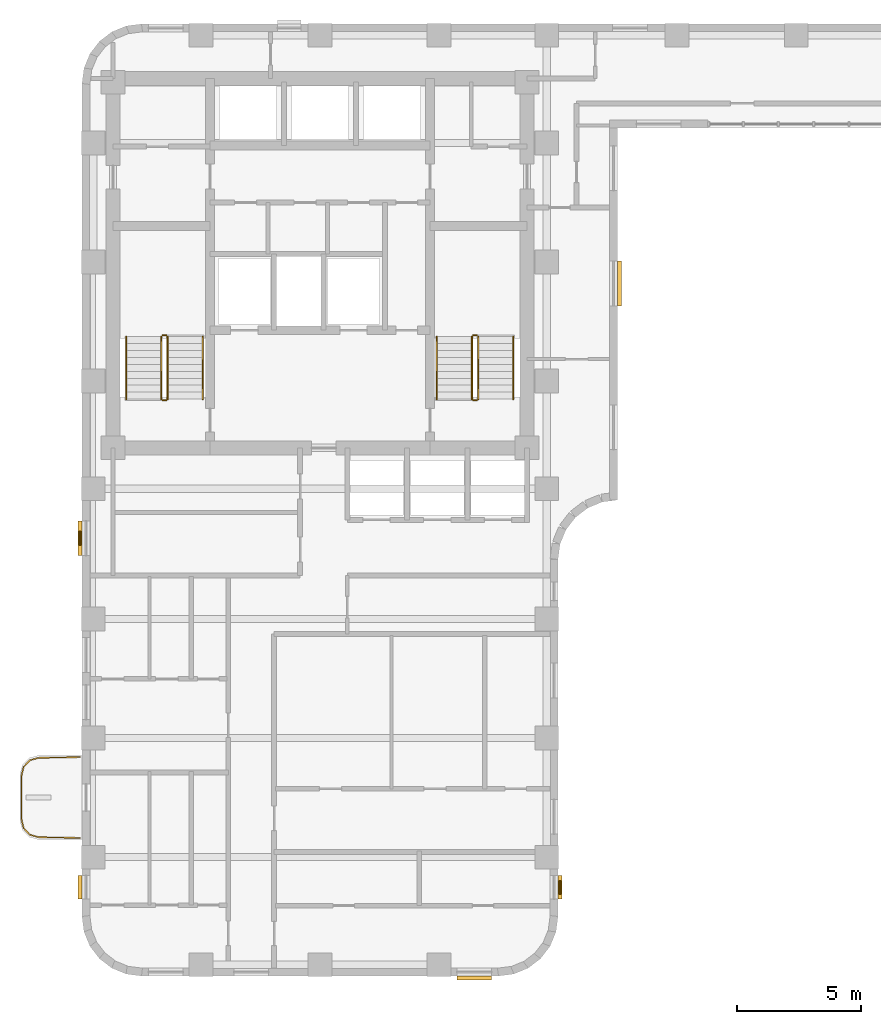
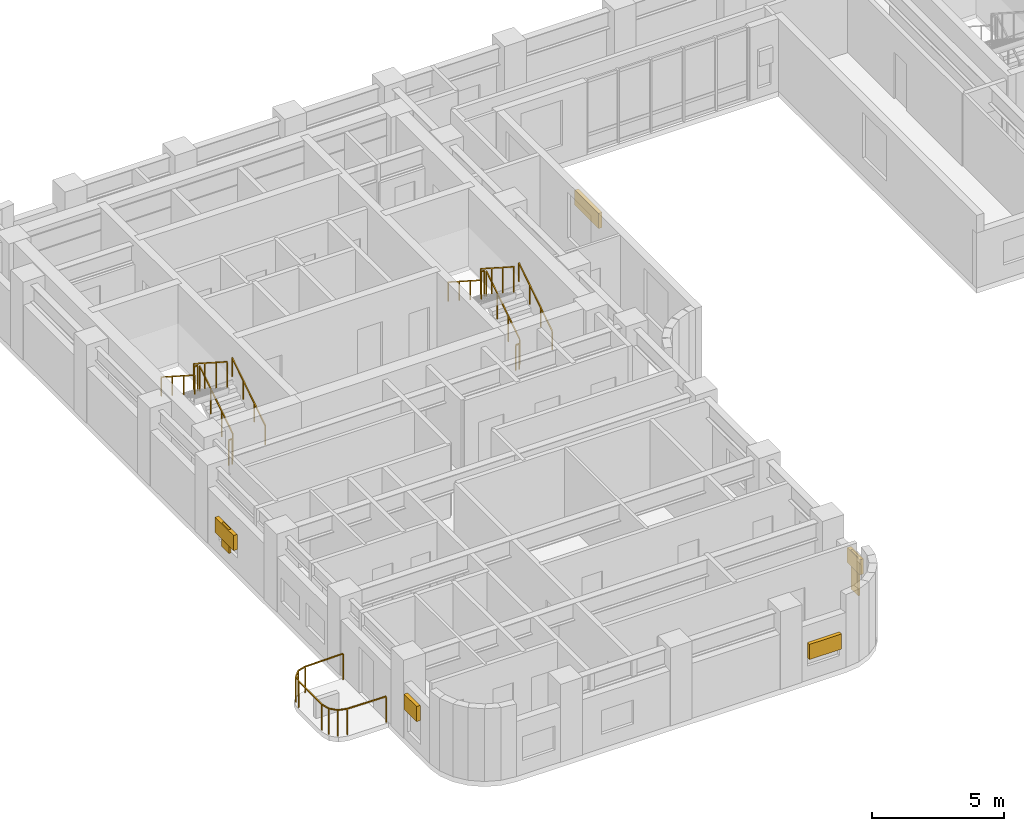
# One storey, part 9 of 11: 13 railings, 7 shading devices.
"""IFC4 building model written with IfcOpenShell, lengths in metres."""

from ifc_helpers import new_model, si_unit, direction, frame, origin, origin_2d, place, context, subcontext, project, spatial, rectangle, extrude, material, type_object, element, save


model = new_model("IFC4")

# Units and contexts
model_context = context("Model", 3, precision=1e-05, world=origin(), true_north=direction((0.0, 1.0)))
body_context = subcontext(model_context, "Body", "Model", "MODEL_VIEW")
ifc_project = project(units=[si_unit("LENGTHUNIT", "METRE"), si_unit("AREAUNIT", "SQUARE_METRE"), si_unit("VOLUMEUNIT", "CUBIC_METRE"), si_unit("PLANEANGLEUNIT", "RADIAN"), si_unit("MASSUNIT", "GRAM", prefix="KILO")], contexts=[model_context])

# Site, building, storey
site_placement = place(None, origin())
site = spatial("IfcSite", under=ifc_project, at=site_placement, CompositionType="ELEMENT")
building_placement = place(site_placement, origin())
building = spatial("IfcBuilding", under=site, at=building_placement, Name="Orvandelia Arch Residences", CompositionType="ELEMENT")
storey_placement = place(building_placement, frame((0.0, 0.0, 175.60009765625)))
storey = spatial("IfcBuildingStorey", under=building, at=storey_placement, Name="L46", CompositionType="ELEMENT", Elevation=175.60009765625)

# Railings
ifc_material_1 = material(Name="Marine-Grade Stainless Steel 316", Category="steel")
railing_type_1 = type_object("IfcRailingType", Name="GRD-BAL-1200", PredefinedType="BALUSTRADE", material=ifc_material_1)
railing_1_placement = place(storey_placement, frame((4.728271484375, 18.430419921875, 0.0)))
element("IfcRailing", 1, at=railing_1_placement, inside=storey, type_object=railing_type_1, Name="Safety Balustrade Guard GRD-L46-BAL-L46-W1-1", PredefinedType="BALUSTRADE", context=body_context, shape_type="SweptSolid", body=[
    extrude(rectangle(XDim=0.048095703125, YDim=0.048095703125, at=origin_2d()), frame((0.0, 0.0, 1.19580078125), z_axis=(-0.999834751713, -0.018178813668, 0.0), x_axis=(0.018178813668, -0.999834751713, 0.0)), (0.0, 0.0, 1.0), 1.6787109375),
    extrude(rectangle(XDim=0.048095703125, YDim=0.048095703125, at=origin_2d()), frame((-1.678466796875, -0.030517578125, 1.19580078125), z_axis=(-0.96348920644, -0.267747173792, 0.0), x_axis=(0.267747173792, -0.96348920644, 0.0)), (0.0, 0.0, 1.0), 0.36572265625),
    extrude(rectangle(XDim=0.048095703125, YDim=0.048095703125, at=origin_2d()), frame((-2.03076171875, -0.12841796875, 1.19580078125), z_axis=(-0.688627404251, -0.725115368831, 0.0), x_axis=(0.725115368831, -0.688627404251, 0.0)), (0.0, 0.0, 1.0), 0.367919921875),
    extrude(rectangle(XDim=0.048095703125, YDim=0.048095703125, at=origin_2d()), frame((-2.2841796875, -0.395263671875, 1.19580078125), z_axis=(-0.220602419982, -0.975363815352, 0.0), x_axis=(0.975363815352, -0.220602419982, 0.0)), (0.0, 0.0, 1.0), 0.373046875),
    extrude(rectangle(XDim=0.048095703125, YDim=0.048095703125, at=origin_2d()), frame((-2.366455078125, -0.759033203125, 1.19580078125), z_axis=(0.0, -1.0, 0.0), x_axis=(1.0, 0.0, 0.0)), (0.0, 0.0, 1.0), 1.74267578125),
    extrude(rectangle(XDim=0.048095703125, YDim=0.048095703125, at=origin_2d()), frame((-2.366455078125, -2.501708984375, 1.19580078125), z_axis=(0.220602419982, -0.975363815352, 0.0), x_axis=(0.975363815352, 0.220602419982, 0.0)), (0.0, 0.0, 1.0), 0.373046875),
    extrude(rectangle(XDim=0.048095703125, YDim=0.048095703125, at=origin_2d()), frame((-2.2841796875, -2.865478515625, 1.19580078125), z_axis=(0.688296224633, -0.725429739642, 0.0), x_axis=(0.725429739642, 0.688296224633, 0.0)), (0.0, 0.0, 1.0), 0.3681640625),
    extrude(rectangle(XDim=0.048095703125, YDim=0.048095703125, at=origin_2d()), frame((-2.03076171875, -3.132568359375, 1.19580078125), z_axis=(0.96348920644, -0.267747173792, 0.0), x_axis=(0.267747173792, 0.96348920644, 0.0)), (0.0, 0.0, 1.0), 0.36572265625),
    extrude(rectangle(XDim=0.048095703125, YDim=0.048095703125, at=origin_2d()), frame((-1.678466796875, -3.23046875, 1.19580078125), z_axis=(0.999837384468, -0.018033430643, 0.0), x_axis=(0.018033430643, 0.999837384468, 0.0)), (0.0, 0.0, 1.0), 1.6787109375),
    extrude(rectangle(XDim=0.0419921875, YDim=0.0419921875, at=origin_2d()), origin(), (0.0, 0.0, 1.0), 1.171875),
    extrude(rectangle(XDim=0.0419921875, YDim=0.0419921875, at=origin_2d()), frame((-1.678466796875, -0.030517578125, 0.0)), (0.0, 0.0, 1.0), 1.171875),
    extrude(rectangle(XDim=0.0419921875, YDim=0.0419921875, at=origin_2d()), frame((-2.03076171875, -0.12841796875, 0.0)), (0.0, 0.0, 1.0), 1.171875),
    extrude(rectangle(XDim=0.0419921875, YDim=0.0419921875, at=origin_2d()), frame((-2.2841796875, -0.395263671875, 0.0)), (0.0, 0.0, 1.0), 1.171875),
    extrude(rectangle(XDim=0.0419921875, YDim=0.0419921875, at=origin_2d()), frame((-2.366455078125, -0.759033203125, 0.0)), (0.0, 0.0, 1.0), 1.171875),
    extrude(rectangle(XDim=0.0419921875, YDim=0.0419921875, at=origin_2d()), frame((-2.366455078125, -2.501708984375, 0.0)), (0.0, 0.0, 1.0), 1.171875),
    extrude(rectangle(XDim=0.0419921875, YDim=0.0419921875, at=origin_2d()), frame((-2.2841796875, -2.865478515625, 0.0)), (0.0, 0.0, 1.0), 1.171875),
    extrude(rectangle(XDim=0.0419921875, YDim=0.0419921875, at=origin_2d()), frame((-2.03076171875, -3.132568359375, 0.0)), (0.0, 0.0, 1.0), 1.171875),
    extrude(rectangle(XDim=0.0419921875, YDim=0.0419921875, at=origin_2d()), frame((-1.678466796875, -3.23046875, 0.0)), (0.0, 0.0, 1.0), 1.171875),
    extrude(rectangle(XDim=0.0419921875, YDim=0.0419921875, at=origin_2d()), frame((0.0, -3.2607421875, 0.0)), (0.0, 0.0, 1.0), 1.171875),
])
ifc_material_2 = material(Name="Brushed Stainless Steel 304", Category="steel")
railing_type_2 = type_object("IfcRailingType", Name="RL-STAIR-GD1120", PredefinedType="GUARDRAIL", material=ifc_material_2)
railing_2_placement = place(storey_placement, frame((8.25, 32.8701171875, 0.179931640625)))
element("IfcRailing", 2, at=railing_2_placement, inside=storey, type_object=railing_type_2, Name="L46 ST-1 stair guard 1", PredefinedType="GUARDRAIL", context=body_context, shape_type="SweptSolid", body=[
    extrude(rectangle(XDim=0.048095703125, YDim=0.048095703125, at=origin_2d()), frame((0.0, 0.0, 1.17578125), z_axis=(0.0, 0.841175827307, 0.540761710511), x_axis=(-1.0, 0.0, 0.0)), (0.0, 0.0, 1.0), 2.99560546875),
    extrude(rectangle(XDim=0.0419921875, YDim=0.0419921875, at=origin_2d()), origin(), (0.0, 0.0, 1.0), 1.15185546875),
    extrude(rectangle(XDim=0.0419921875, YDim=0.0419921875, at=origin_2d()), frame((0.0, 0.83984375, 0.5400390625)), (0.0, 0.0, 1.0), 1.15185546875),
    extrude(rectangle(XDim=0.0419921875, YDim=0.0419921875, at=origin_2d()), frame((0.0, 1.679931640625, 1.079833984375)), (0.0, 0.0, 1.0), 1.15185546875),
    extrude(rectangle(XDim=0.0419921875, YDim=0.0419921875, at=origin_2d()), frame((0.0, 2.519775390625, 1.619873046875)), (0.0, 0.0, 1.0), 1.15185546875),
])
railing_3_placement = place(storey_placement, frame((8.199951171875, 35.43994140625, 1.7998046875)))
element("IfcRailing", 3, at=railing_3_placement, inside=storey, type_object=railing_type_2, Name="L46 ST-1 stair guard 2", PredefinedType="GUARDRAIL", context=body_context, shape_type="SweptSolid", body=[
    extrude(rectangle(XDim=0.048095703125, YDim=0.048095703125, at=origin_2d()), frame((0.0, 0.0, 1.17578125), z_axis=(-1.0, 0.0, 0.0), x_axis=(0.0, -1.0, 0.0)), (0.0, 0.0, 1.0), 0.14990234375),
    extrude(rectangle(XDim=0.0419921875, YDim=0.0419921875, at=origin_2d()), origin(), (0.0, 0.0, 1.0), 1.15185546875),
    extrude(rectangle(XDim=0.0419921875, YDim=0.0419921875, at=origin_2d()), frame((-0.14990234375, 0.0, 0.0)), (0.0, 0.0, 1.0), 1.15185546875),
])
railing_4_placement = place(storey_placement, frame((8.0, 35.389892578125, 1.97998046875)))
element("IfcRailing", 4, at=railing_4_placement, inside=storey, type_object=railing_type_2, Name="L46 ST-1 stair guard 3", PredefinedType="GUARDRAIL", context=body_context, shape_type="SweptSolid", body=[
    extrude(rectangle(XDim=0.048095703125, YDim=0.048095703125, at=origin_2d()), frame((0.0, 0.0, 1.17578125), z_axis=(0.0, -0.841175827307, 0.540761710511), x_axis=(1.0, 0.0, 0.0)), (0.0, 0.0, 1.0), 2.99560546875),
    extrude(rectangle(XDim=0.0419921875, YDim=0.0419921875, at=origin_2d()), origin(), (0.0, 0.0, 1.0), 1.15185546875),
    extrude(rectangle(XDim=0.0419921875, YDim=0.0419921875, at=origin_2d()), frame((0.0, -0.83984375, 0.5400390625)), (0.0, 0.0, 1.0), 1.15185546875),
    extrude(rectangle(XDim=0.0419921875, YDim=0.0419921875, at=origin_2d()), frame((0.0, -1.679931640625, 1.079833984375)), (0.0, 0.0, 1.0), 1.15185546875),
    extrude(rectangle(XDim=0.0419921875, YDim=0.0419921875, at=origin_2d()), frame((0.0, -2.519775390625, 1.619873046875)), (0.0, 0.0, 1.0), 1.15185546875),
])
railing_5_placement = place(storey_placement, frame((8.199951171875, 32.820068359375, 0.0)))
element("IfcRailing", 5, at=railing_5_placement, inside=storey, type_object=railing_type_2, Name="L46 ST-1 stair guard 4", PredefinedType="GUARDRAIL", context=body_context, shape_type="SweptSolid", body=[
    extrude(rectangle(XDim=0.048095703125, YDim=0.048095703125, at=origin_2d()), frame((0.0, 0.0, 1.17578125), z_axis=(-1.0, 0.0, 0.0), x_axis=(0.0, -1.0, 0.0)), (0.0, 0.0, 1.0), 0.14990234375),
    extrude(rectangle(XDim=0.0419921875, YDim=0.0419921875, at=origin_2d()), origin(), (0.0, 0.0, 1.0), 1.15185546875),
    extrude(rectangle(XDim=0.0419921875, YDim=0.0419921875, at=origin_2d()), frame((-0.14990234375, 0.0, 0.0)), (0.0, 0.0, 1.0), 1.15185546875),
])
railing_6_placement = place(storey_placement, frame((20.780029296875, 32.8701171875, 0.179931640625)))
element("IfcRailing", 6, at=railing_6_placement, inside=storey, type_object=railing_type_2, Name="L46 ST-2 stair guard 1", PredefinedType="GUARDRAIL", context=body_context, shape_type="SweptSolid", body=[
    extrude(rectangle(XDim=0.048095703125, YDim=0.048095703125, at=origin_2d()), frame((0.0, 0.0, 1.17578125), z_axis=(0.0, 0.841175827307, 0.540761710511), x_axis=(-1.0, 0.0, 0.0)), (0.0, 0.0, 1.0), 2.99560546875),
    extrude(rectangle(XDim=0.0419921875, YDim=0.0419921875, at=origin_2d()), origin(), (0.0, 0.0, 1.0), 1.15185546875),
    extrude(rectangle(XDim=0.0419921875, YDim=0.0419921875, at=origin_2d()), frame((0.0, 0.83984375, 0.5400390625)), (0.0, 0.0, 1.0), 1.15185546875),
    extrude(rectangle(XDim=0.0419921875, YDim=0.0419921875, at=origin_2d()), frame((0.0, 1.679931640625, 1.079833984375)), (0.0, 0.0, 1.0), 1.15185546875),
    extrude(rectangle(XDim=0.0419921875, YDim=0.0419921875, at=origin_2d()), frame((0.0, 2.519775390625, 1.619873046875)), (0.0, 0.0, 1.0), 1.15185546875),
])
railing_7_placement = place(storey_placement, frame((20.72998046875, 35.43994140625, 1.7998046875)))
element("IfcRailing", 7, at=railing_7_placement, inside=storey, type_object=railing_type_2, Name="L46 ST-2 stair guard 2", PredefinedType="GUARDRAIL", context=body_context, shape_type="SweptSolid", body=[
    extrude(rectangle(XDim=0.048095703125, YDim=0.048095703125, at=origin_2d()), frame((0.0, 0.0, 1.17578125), z_axis=(-1.0, 0.0, 0.0), x_axis=(0.0, -1.0, 0.0)), (0.0, 0.0, 1.0), 0.14990234375),
    extrude(rectangle(XDim=0.0419921875, YDim=0.0419921875, at=origin_2d()), origin(), (0.0, 0.0, 1.0), 1.15185546875),
    extrude(rectangle(XDim=0.0419921875, YDim=0.0419921875, at=origin_2d()), frame((-0.14990234375, 0.0, 0.0)), (0.0, 0.0, 1.0), 1.15185546875),
])
railing_8_placement = place(storey_placement, frame((20.530029296875, 35.389892578125, 1.97998046875)))
element("IfcRailing", 8, at=railing_8_placement, inside=storey, type_object=railing_type_2, Name="L46 ST-2 stair guard 3", PredefinedType="GUARDRAIL", context=body_context, shape_type="SweptSolid", body=[
    extrude(rectangle(XDim=0.048095703125, YDim=0.048095703125, at=origin_2d()), frame((0.0, 0.0, 1.17578125), z_axis=(0.0, -0.841175827307, 0.540761710511), x_axis=(1.0, 0.0, 0.0)), (0.0, 0.0, 1.0), 2.99560546875),
    extrude(rectangle(XDim=0.0419921875, YDim=0.0419921875, at=origin_2d()), origin(), (0.0, 0.0, 1.0), 1.15185546875),
    extrude(rectangle(XDim=0.0419921875, YDim=0.0419921875, at=origin_2d()), frame((0.0, -0.83984375, 0.5400390625)), (0.0, 0.0, 1.0), 1.15185546875),
    extrude(rectangle(XDim=0.0419921875, YDim=0.0419921875, at=origin_2d()), frame((0.0, -1.679931640625, 1.079833984375)), (0.0, 0.0, 1.0), 1.15185546875),
    extrude(rectangle(XDim=0.0419921875, YDim=0.0419921875, at=origin_2d()), frame((0.0, -2.519775390625, 1.619873046875)), (0.0, 0.0, 1.0), 1.15185546875),
])
railing_9_placement = place(storey_placement, frame((20.72998046875, 32.820068359375, 0.0)))
element("IfcRailing", 9, at=railing_9_placement, inside=storey, type_object=railing_type_2, Name="L46 ST-2 stair guard 4", PredefinedType="GUARDRAIL", context=body_context, shape_type="SweptSolid", body=[
    extrude(rectangle(XDim=0.048095703125, YDim=0.048095703125, at=origin_2d()), frame((0.0, 0.0, 1.17578125), z_axis=(-1.0, 0.0, 0.0), x_axis=(0.0, -1.0, 0.0)), (0.0, 0.0, 1.0), 0.14990234375),
    extrude(rectangle(XDim=0.0419921875, YDim=0.0419921875, at=origin_2d()), origin(), (0.0, 0.0, 1.0), 1.15185546875),
    extrude(rectangle(XDim=0.0419921875, YDim=0.0419921875, at=origin_2d()), frame((-0.14990234375, 0.0, 0.0)), (0.0, 0.0, 1.0), 1.15185546875),
])
railing_type_3 = type_object("IfcRailingType", Name="RL-STAIR-HR920", PredefinedType="HANDRAIL", material=ifc_material_2)
railing_10_placement = place(storey_placement, frame((9.669921875, 32.8701171875, 0.35986328125)))
element("IfcRailing", 10, at=railing_10_placement, inside=storey, type_object=railing_type_3, Name="L46 ST-1 stair handrail 1", PredefinedType="HANDRAIL", context=body_context, shape_type="SweptSolid", body=[
    extrude(rectangle(XDim=0.048095703125, YDim=0.048095703125, at=origin_2d()), frame((0.0, 0.0, 0.8759765625), z_axis=(0.0, 0.841138753965, 0.540819375188), x_axis=(-1.0, 0.0, 0.0)), (0.0, 0.0, 1.0), 2.99560546875),
    extrude(rectangle(XDim=0.0419921875, YDim=0.0419921875, at=origin_2d()), origin(), (0.0, 0.0, 1.0), 0.851806640625),
    extrude(rectangle(XDim=0.0419921875, YDim=0.0419921875, at=origin_2d()), frame((0.0, 0.83984375, 0.5400390625)), (0.0, 0.0, 1.0), 0.851806640625),
    extrude(rectangle(XDim=0.0419921875, YDim=0.0419921875, at=origin_2d()), frame((0.0, 1.679931640625, 1.080078125)), (0.0, 0.0, 1.0), 0.851806640625),
    extrude(rectangle(XDim=0.0419921875, YDim=0.0419921875, at=origin_2d()), frame((0.0, 2.519775390625, 1.6201171875)), (0.0, 0.0, 1.0), 0.851806640625),
])
railing_11_placement = place(storey_placement, frame((6.580078125, 35.389892578125, 2.159912109375)))
element("IfcRailing", 11, at=railing_11_placement, inside=storey, type_object=railing_type_3, Name="L46 ST-1 stair handrail 2", PredefinedType="HANDRAIL", context=body_context, shape_type="SweptSolid", body=[
    extrude(rectangle(XDim=0.048095703125, YDim=0.048095703125, at=origin_2d()), frame((0.0, 0.0, 0.8759765625), z_axis=(0.0, -0.841175827307, 0.540761710511), x_axis=(1.0, 0.0, 0.0)), (0.0, 0.0, 1.0), 2.99560546875),
    extrude(rectangle(XDim=0.0419921875, YDim=0.0419921875, at=origin_2d()), origin(), (0.0, 0.0, 1.0), 0.851806640625),
    extrude(rectangle(XDim=0.0419921875, YDim=0.0419921875, at=origin_2d()), frame((0.0, -0.83984375, 0.5400390625)), (0.0, 0.0, 1.0), 0.851806640625),
    extrude(rectangle(XDim=0.0419921875, YDim=0.0419921875, at=origin_2d()), frame((0.0, -1.679931640625, 1.079833984375)), (0.0, 0.0, 1.0), 0.851806640625),
    extrude(rectangle(XDim=0.0419921875, YDim=0.0419921875, at=origin_2d()), frame((0.0, -2.519775390625, 1.619873046875)), (0.0, 0.0, 1.0), 0.851806640625),
])
railing_12_placement = place(storey_placement, frame((22.199951171875, 32.8701171875, 0.35986328125)))
element("IfcRailing", 12, at=railing_12_placement, inside=storey, type_object=railing_type_3, Name="L46 ST-2 stair handrail 1", PredefinedType="HANDRAIL", context=body_context, shape_type="SweptSolid", body=[
    extrude(rectangle(XDim=0.048095703125, YDim=0.048095703125, at=origin_2d()), frame((0.0, 0.0, 0.8759765625), z_axis=(0.0, 0.841138753965, 0.540819375188), x_axis=(-1.0, 0.0, 0.0)), (0.0, 0.0, 1.0), 2.99560546875),
    extrude(rectangle(XDim=0.0419921875, YDim=0.0419921875, at=origin_2d()), origin(), (0.0, 0.0, 1.0), 0.851806640625),
    extrude(rectangle(XDim=0.0419921875, YDim=0.0419921875, at=origin_2d()), frame((0.0, 0.83984375, 0.5400390625)), (0.0, 0.0, 1.0), 0.851806640625),
    extrude(rectangle(XDim=0.0419921875, YDim=0.0419921875, at=origin_2d()), frame((0.0, 1.679931640625, 1.080078125)), (0.0, 0.0, 1.0), 0.851806640625),
    extrude(rectangle(XDim=0.0419921875, YDim=0.0419921875, at=origin_2d()), frame((0.0, 2.519775390625, 1.6201171875)), (0.0, 0.0, 1.0), 0.851806640625),
])
railing_13_placement = place(storey_placement, frame((19.110107421875, 35.389892578125, 2.159912109375)))
element("IfcRailing", 13, at=railing_13_placement, inside=storey, type_object=railing_type_3, Name="L46 ST-2 stair handrail 2", PredefinedType="HANDRAIL", context=body_context, shape_type="SweptSolid", body=[
    extrude(rectangle(XDim=0.048095703125, YDim=0.048095703125, at=origin_2d()), frame((0.0, 0.0, 0.8759765625), z_axis=(0.0, -0.841175827307, 0.540761710511), x_axis=(1.0, 0.0, 0.0)), (0.0, 0.0, 1.0), 2.99560546875),
    extrude(rectangle(XDim=0.0419921875, YDim=0.0419921875, at=origin_2d()), origin(), (0.0, 0.0, 1.0), 0.851806640625),
    extrude(rectangle(XDim=0.0419921875, YDim=0.0419921875, at=origin_2d()), frame((0.0, -0.83984375, 0.5400390625)), (0.0, 0.0, 1.0), 0.851806640625),
    extrude(rectangle(XDim=0.0419921875, YDim=0.0419921875, at=origin_2d()), frame((0.0, -1.679931640625, 1.079833984375)), (0.0, 0.0, 1.0), 0.851806640625),
    extrude(rectangle(XDim=0.0419921875, YDim=0.0419921875, at=origin_2d()), frame((0.0, -2.519775390625, 1.619873046875)), (0.0, 0.0, 1.0), 0.851806640625),
])

# Shading devices
ifc_material_3 = material(Name="Anodised Champagne-Bronze Extruded Aluminium", Category="aluminium")
shading_device_type_1 = type_object("IfcShadingDeviceType", Name="SHD-JALOUSIE-SCREEN", PredefinedType="JALOUSIE", material=ifc_material_3)
shading_device_1_placement = place(storey_placement, frame((26.47998046875, 37.530029296875, 2.19970703125), z_axis=(0.0, 0.0, 1.0), x_axis=(0.0, -1.0, 0.0)))
element("IfcShadingDevice", 14, at=shading_device_1_placement, inside=storey, type_object=shading_device_type_1, Name="Bronze Jalousie Sun-Shade L46-005", PredefinedType="JALOUSIE", context=body_context, shape_type="SweptSolid", body=[
    extrude(rectangle(XDim=1.800048828125, YDim=0.159912109375, at=origin_2d()), origin(), (0.0, 0.0, 1.0), 0.699951171875),
])
shading_device_2_placement = place(storey_placement, frame((24.080078125, 13.174560546875, 1.5498046875), z_axis=(0.0, 0.0, 1.0), x_axis=(0.0, -1.0, 0.0)))
element("IfcShadingDevice", 15, at=shading_device_2_placement, inside=storey, type_object=shading_device_type_1, Name="Bronze Jalousie Sun-Shade L46-006", PredefinedType="JALOUSIE", context=body_context, shape_type="SweptSolid", body=[
    extrude(rectangle(XDim=0.949951171875, YDim=0.159912109375, at=origin_2d()), origin(), (0.0, 0.0, 1.0), 0.699951171875),
])
shading_device_3_placement = place(storey_placement, frame((20.617431640625, 9.52001953125, 1.0498046875), z_axis=(0.0, 0.0, 1.0), x_axis=(-1.0, 0.0, 0.0)))
element("IfcShadingDevice", 16, at=shading_device_3_placement, inside=storey, type_object=shading_device_type_1, Name="Bronze Jalousie Sun-Shade L46-007", PredefinedType="JALOUSIE", context=body_context, shape_type="SweptSolid", body=[
    extrude(rectangle(XDim=1.39990234375, YDim=0.159912109375, at=origin_2d()), origin(), (0.0, 0.0, 1.0), 0.699951171875),
])
shading_device_4_placement = place(storey_placement, frame((4.719970703125, 13.18359375, 1.5498046875), z_axis=(0.0, 0.0, 1.0), x_axis=(0.0, 1.0, 0.0)))
element("IfcShadingDevice", 17, at=shading_device_4_placement, inside=storey, type_object=shading_device_type_1, Name="Bronze Jalousie Sun-Shade L46-008", PredefinedType="JALOUSIE", context=body_context, shape_type="SweptSolid", body=[
    extrude(rectangle(XDim=0.949951171875, YDim=0.159912109375, at=origin_2d()), origin(), (0.0, 0.0, 1.0), 0.699951171875),
])
shading_device_5_placement = place(storey_placement, frame((4.719970703125, 27.257568359375, 1.0498046875), z_axis=(0.0, 0.0, 1.0), x_axis=(0.0, 1.0, 0.0)))
element("IfcShadingDevice", 18, at=shading_device_5_placement, inside=storey, type_object=shading_device_type_1, Name="Bronze Jalousie Sun-Shade L46-009", PredefinedType="JALOUSIE", context=body_context, shape_type="SweptSolid", body=[
    extrude(rectangle(XDim=1.39990234375, YDim=0.159912109375, at=origin_2d()), origin(), (0.0, 0.0, 1.0), 0.699951171875),
])
ifc_material_4 = material(Name="Marine-Grade Perforated Aluminium Storm Shutter", Category="aluminium")
shading_device_type_2 = type_object("IfcShadingDeviceType", Name="SHD-STORM-SHUTTER", PredefinedType="SHUTTER", material=ifc_material_4)
shading_device_6_placement = place(storey_placement, frame((24.080078125, 13.174560546875, 0.44970703125), z_axis=(0.0, 0.0, 1.0), x_axis=(0.0, -1.0, 0.0)))
element("IfcShadingDevice", 19, at=shading_device_6_placement, inside=storey, type_object=shading_device_type_2, Name="Operable Typhoon Storm Shutter L46-006", PredefinedType="SHUTTER", context=body_context, shape_type="SweptSolid", body=[
    extrude(rectangle(XDim=0.550048828125, YDim=0.080078125, at=origin_2d()), origin(), (0.0, 0.0, 1.0), 1.800048828125),
])
shading_device_7_placement = place(storey_placement, frame((4.719970703125, 27.257568359375, 0.64990234375), z_axis=(0.0, 0.0, 1.0), x_axis=(0.0, 1.0, 0.0)))
element("IfcShadingDevice", 20, at=shading_device_7_placement, inside=storey, type_object=shading_device_type_2, Name="Operable Typhoon Storm Shutter L46-009", PredefinedType="SHUTTER", context=body_context, shape_type="SweptSolid", body=[
    extrude(rectangle(XDim=0.550048828125, YDim=0.080078125, at=origin_2d()), origin(), (0.0, 0.0, 1.0), 1.10009765625),
])

save(model, "model.ifc")
